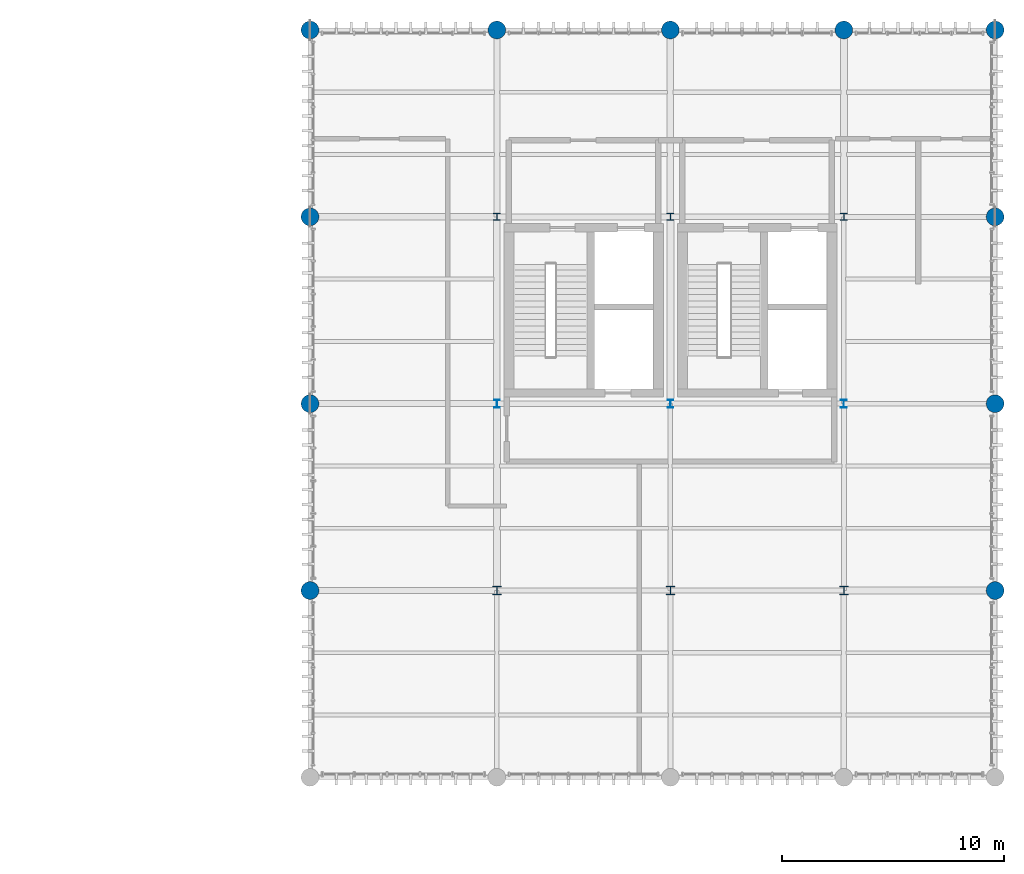
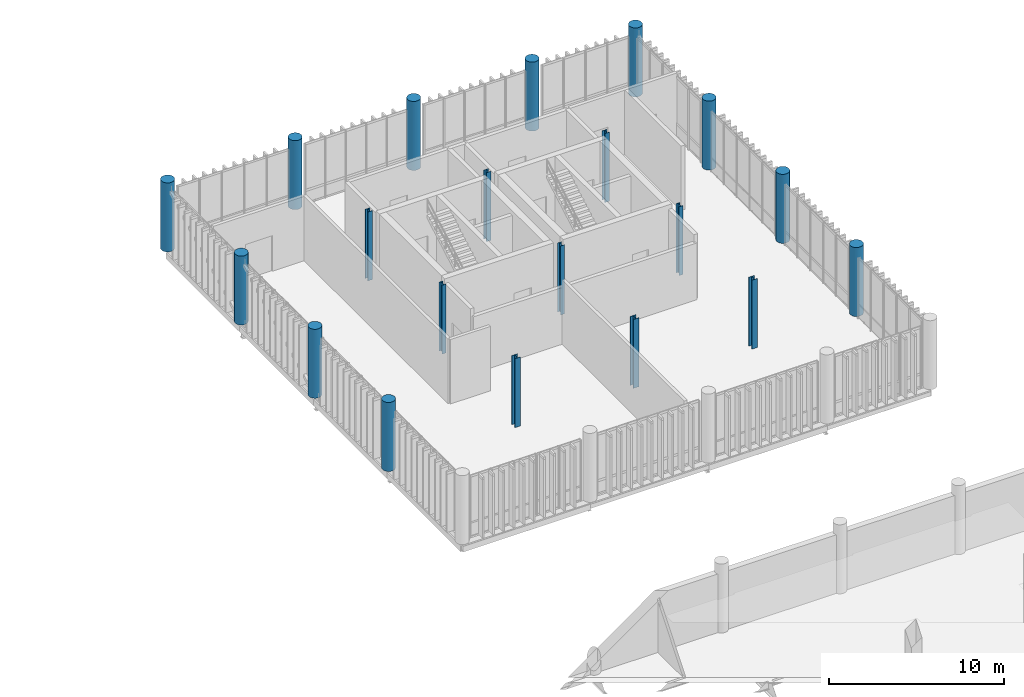
# One storey, part 10 of 94: 20 columns.
"""IFC4 building model written with IfcOpenShell, lengths in metres."""

from ifc_helpers import new_model, si_unit, direction, frame, origin_with_axes, origin_2d_with_axis, place, context, subcontext, project, spatial, circle, i_section, extrude, material, material_profile, profile_set, type_object, element, save


model = new_model("IFC4")

# Units and contexts
model_context = context("Model", 3, precision=1e-05, world=origin_with_axes(), true_north=direction((0.0, 1.0)))
body_context = subcontext(model_context, "Body", "Model", "MODEL_VIEW")
ifc_project = project(units=[si_unit("LENGTHUNIT", "METRE"), si_unit("AREAUNIT", "SQUARE_METRE"), si_unit("VOLUMEUNIT", "CUBIC_METRE"), si_unit("PLANEANGLEUNIT", "RADIAN"), si_unit("MASSUNIT", "GRAM", prefix="KILO"), si_unit("THERMODYNAMICTEMPERATUREUNIT", "KELVIN")], contexts=[model_context])

# Site, building, storey
site_placement = place(None, origin_with_axes())
site = spatial("IfcSite", under=ifc_project, at=site_placement, CompositionType="ELEMENT")
building_placement = place(site_placement, origin_with_axes())
building = spatial("IfcBuilding", under=site, at=building_placement, Name="Montbau Bow Law Courts", CompositionType="ELEMENT")
storey_placement = place(building_placement, frame((0.0, 0.0, 15.6), z_axis=(0.0, 0.0, 1.0), x_axis=(1.0, 0.0, 0.0)))
storey = spatial("IfcBuildingStorey", under=building, at=storey_placement, Name="L03", CompositionType="ELEMENT", Elevation=15.6)

# Columns
ifc_material_1 = material(Name="Concrete CSA A23.1 f'c 40 MPa", Category="concrete")
ifc_material_profile_1 = material_profile(ifc_material_1, circle(Radius=0.4, at=origin_2d_with_axis()), Name="RC800D", Category="Main", Priority=0)
ifc_profile_set_1 = profile_set([ifc_material_profile_1], Name="Concrete CSA A23.1 f'c 40 MPa")
column_type_1 = type_object("IfcColumnType", Name="C-RC-07", PredefinedType="COLUMN", material=ifc_profile_set_1)
for number, where, z_axis, x_axis, name in (
    (1, (138.6, 78.0, 15.6), (0.0, 0.0, 1.0), (1.0, 0.0, 0.0), "C-L03-S0714:col2_0714"),
    (2, (138.6, 86.4, 15.6), (0.0, 0.0, 1.0), (1.0, 0.0, 0.0), "C-L03-S0715:col2_0715"),
    (3, (138.6, 94.8, 15.6), (0.0, 0.0, 1.0), (1.0, 0.0, 0.0), "C-L03-S0716:col2_0716"),
    (4, (138.6, 103.2, 15.6), (0.0, 0.0, 1.0), (1.0, 0.0, 0.0), "C-L03-S0717:col2_0717"),
    (5, (147.0, 103.2, 15.6), (0.0, 0.0, 1.0), (1.0, 0.0, 0.0), "C-L03-S0729:col2_0729"),
    (6, (154.8, 103.2, 15.6), (0.0, 0.0, 1.0), (1.0, 0.0, 0.0), "C-L03-S0741:col2_0741"),
    (7, (162.6, 103.2, 15.6), (0.0, 0.0, 1.0), (1.0, 0.0, 0.0), "C-L03-S0753:col2_0753"),
    (8, (169.4, 78.0, 15.6), (0.0, 0.0, 1.0), (1.0, 0.0, 0.0), "C-L03-S0762:col2_0762"),
    (9, (169.4, 86.4, 15.6), (0.0, 0.0, 1.0), (1.0, 0.0, 0.0), "C-L03-S0763:col2_0763"),
    (10, (169.4, 94.8, 15.6), (0.0, 0.0, 1.0), (1.0, 0.0, 0.0), "C-L03-S0764:col2_0764"),
    (11, (169.4, 103.2, 15.6), (0.0, 0.0, 1.0), (1.0, 0.0, 0.0), "C-L03-S0765:col2_0765"),
):
    element("IfcColumn", number, at=place(None, frame(where, z_axis=z_axis, x_axis=x_axis)), inside=storey, type_object=column_type_1, Name=name, PredefinedType="COLUMN", context=body_context, shape_type="SweptSolid", body=[
        extrude(circle(Radius=0.4, at=origin_2d_with_axis()), origin_with_axes(), (0.0, 0.0, 1.0), 4.8),
    ])
ifc_material_2 = material(Name="Steel CSA G40.21 Grade 350W (350 MPa)", Category="steel")
ifc_material_profile_2 = material_profile(ifc_material_2, i_section(OverallWidth=0.373, OverallDepth=0.368, WebThickness=0.015, FlangeThickness=0.0239, at=origin_2d_with_axis()), Name="W360X179", Category="Main", Priority=0)
ifc_profile_set_2 = profile_set([ifc_material_profile_2], Name="Steel CSA G40.21 Grade 350W (350 MPa)")
column_type_2 = type_object("IfcColumnType", Name="C-STL-04", PredefinedType="COLUMN", material=ifc_profile_set_2)
for number, where, z_axis, x_axis, name in (
    (12, (147.0, 78.0, 15.6), (0.0, 0.0, 1.0), (1.0, 0.0, 0.0), "C-L03-S0726:col2_0726"),
    (13, (154.8, 78.0, 15.6), (0.0, 0.0, 1.0), (1.0, 0.0, 0.0), "C-L03-S0738:col2_0738"),
    (14, (162.6, 78.0, 15.6), (0.0, 0.0, 1.0), (1.0, 0.0, 0.0), "C-L03-S0750:col2_0750"),
):
    element("IfcColumn", number, at=place(None, frame(where, z_axis=z_axis, x_axis=x_axis)), inside=storey, type_object=column_type_2, Name=name, PredefinedType="COLUMN", context=body_context, shape_type="SweptSolid", body=[
        extrude(i_section(OverallWidth=0.373, OverallDepth=0.368, WebThickness=0.015, FlangeThickness=0.0239, at=origin_2d_with_axis()), origin_with_axes(), (0.0, 0.0, 1.0), 4.8),
    ])
ifc_material_profile_3 = material_profile(ifc_material_2, i_section(OverallWidth=0.257, OverallDepth=0.363, WebThickness=0.013, FlangeThickness=0.0217, at=origin_2d_with_axis()), Name="W360X122", Category="Main", Priority=0)
ifc_profile_set_3 = profile_set([ifc_material_profile_3], Name="Steel CSA G40.21 Grade 350W (350 MPa)")
column_type_3 = type_object("IfcColumnType", Name="C-STL-05", PredefinedType="COLUMN", material=ifc_profile_set_3)
for number, where, z_axis, x_axis, name in (
    (15, (147.0, 86.4, 15.6), (0.0, 0.0, 1.0), (1.0, 0.0, 0.0), "C-L03-S0727:col2_0727"),
    (16, (154.8, 86.4, 15.6), (0.0, 0.0, 1.0), (1.0, 0.0, 0.0), "C-L03-S0739:col2_0739"),
    (17, (162.6, 86.4, 15.6), (0.0, 0.0, 1.0), (1.0, 0.0, 0.0), "C-L03-S0751:col2_0751"),
):
    element("IfcColumn", number, at=place(None, frame(where, z_axis=z_axis, x_axis=x_axis)), inside=storey, type_object=column_type_3, Name=name, PredefinedType="COLUMN", context=body_context, shape_type="SweptSolid", body=[
        extrude(i_section(OverallWidth=0.257, OverallDepth=0.363, WebThickness=0.013, FlangeThickness=0.0217, at=origin_2d_with_axis()), origin_with_axes(), (0.0, 0.0, 1.0), 4.8),
    ])
ifc_material_profile_4 = material_profile(ifc_material_2, i_section(OverallWidth=0.309, OverallDepth=0.323, WebThickness=0.014, FlangeThickness=0.0229, at=origin_2d_with_axis()), Name="W310X143", Category="Main", Priority=0)
ifc_profile_set_4 = profile_set([ifc_material_profile_4], Name="Steel CSA G40.21 Grade 350W (350 MPa)")
column_type_4 = type_object("IfcColumnType", Name="C-STL-06", PredefinedType="COLUMN", material=ifc_profile_set_4)
for number, where, z_axis, x_axis, name in (
    (18, (147.0, 94.8, 15.6), (0.0, 0.0, 1.0), (1.0, 0.0, 0.0), "C-L03-S0728:col2_0728"),
    (19, (154.8, 94.8, 15.6), (0.0, 0.0, 1.0), (1.0, 0.0, 0.0), "C-L03-S0740:col2_0740"),
    (20, (162.6, 94.8, 15.6), (0.0, 0.0, 1.0), (1.0, 0.0, 0.0), "C-L03-S0752:col2_0752"),
):
    element("IfcColumn", number, at=place(None, frame(where, z_axis=z_axis, x_axis=x_axis)), inside=storey, type_object=column_type_4, Name=name, PredefinedType="COLUMN", context=body_context, shape_type="SweptSolid", body=[
        extrude(i_section(OverallWidth=0.309, OverallDepth=0.323, WebThickness=0.014, FlangeThickness=0.0229, at=origin_2d_with_axis()), origin_with_axes(), (0.0, 0.0, 1.0), 4.8),
    ])

save(model, "model.ifc")
